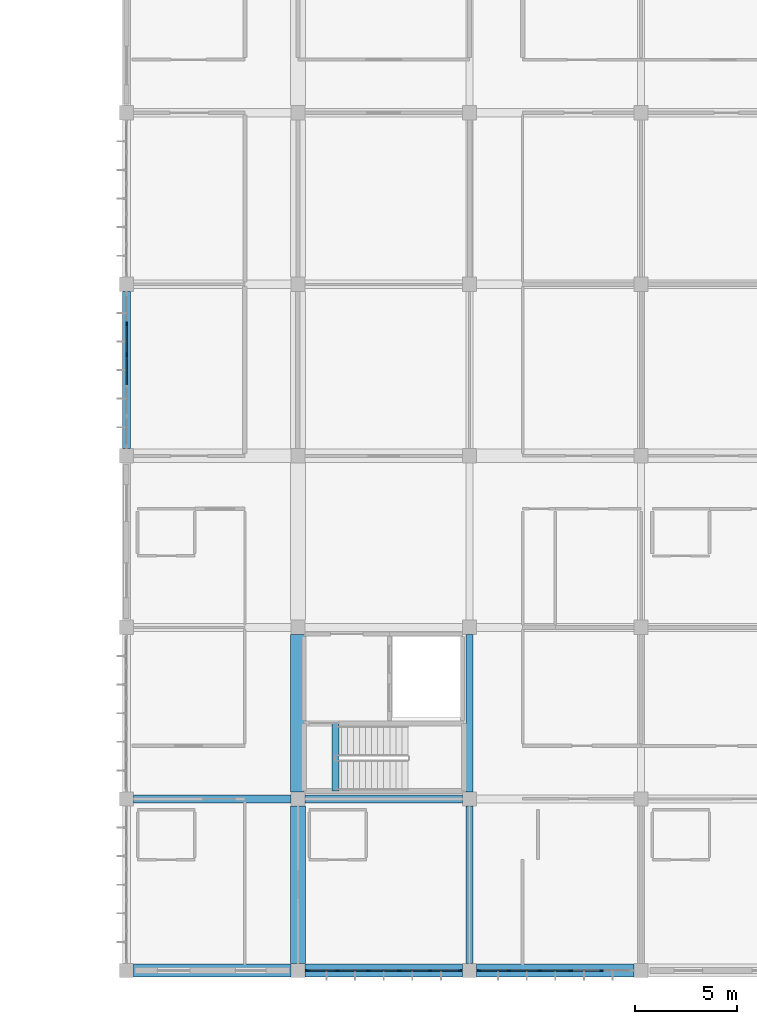
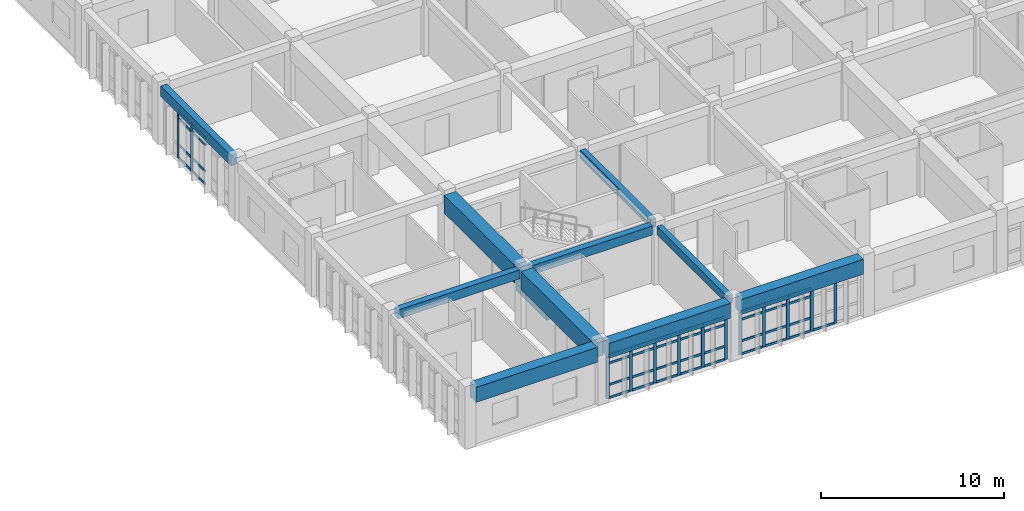
# One storey, part 8 of 119: 54 members, 11 beams, 3 elements without a shape of their own.
"""IFC4 building model written with IfcOpenShell, lengths in metres."""

from ifc_helpers import new_model, si_unit, direction, frame, origin, origin_2d, place, context, subcontext, project, spatial, rectangle, extrude, material, layer, layer_set, material_profile, profile_set, type_object, element, aggregate, save


model = new_model("IFC4")

# Units and contexts
model_context = context("Model", 3, precision=1e-05, world=origin(), true_north=direction((0.0, 1.0)))
body_context = subcontext(model_context, "Body", "Model", "MODEL_VIEW")
ifc_project = project(units=[si_unit("LENGTHUNIT", "METRE"), si_unit("AREAUNIT", "SQUARE_METRE"), si_unit("VOLUMEUNIT", "CUBIC_METRE"), si_unit("PLANEANGLEUNIT", "RADIAN"), si_unit("MASSUNIT", "GRAM", prefix="KILO")], contexts=[model_context])

# Site, building, storey
site_placement = place(None, origin())
site = spatial("IfcSite", under=ifc_project, at=site_placement, CompositionType="ELEMENT")
building_placement = place(site_placement, origin())
building = spatial("IfcBuilding", under=site, at=building_placement, Name="Bramfleet General Hospital", CompositionType="ELEMENT")
storey_placement = place(building_placement, frame((0.0, 0.0, 14.39990234375)))
storey = spatial("IfcBuildingStorey", under=building, at=storey_placement, Name="L03", CompositionType="ELEMENT", Elevation=14.39990234375)

# Beams
ifc_material_1 = material(Name="Concrete C35/45", Category="concrete")
ifc_material_profile_1 = material_profile(ifc_material_1, rectangle(XDim=0.35009765625, YDim=0.550048828125, at=origin_2d()), Name="RC BM 550x350")
ifc_profile_set_1 = profile_set([ifc_material_profile_1], Name="Concrete C35/45")
beam_type_1 = type_object("IfcBeamType", Name="BM-RC550", PredefinedType="BEAM", material=ifc_profile_set_1)
for number, where, z_axis, x_axis, name in (
    (1, (109.199951171875, 0.35009765625, 3.625), (0.0, 1.0, 0.0), (-1.0, 0.0, 0.0), "L03 Grid Beam Y 13-00"),
    (2, (109.199951171875, 8.75, 3.625), (0.0, 1.0, 0.0), (-1.0, 0.0, 0.0), "L03 Grid Beam Y 13-01"),
):
    element("IfcBeam", number, at=place(storey_placement, frame(where, z_axis=z_axis, x_axis=x_axis)), inside=storey, type_object=beam_type_1, Name=name, PredefinedType="BEAM", context=body_context, shape_type="SweptSolid", body=[
        extrude(rectangle(XDim=0.35009765625, YDim=0.550048828125, at=origin_2d()), origin(), (0.0, 0.0, 1.0), 7.699951171875),
    ])
beam_1_placement = place(storey_placement, frame((102.639892578125, 8.780029296875, -0.27490234375), z_axis=(0.0, 1.0, 0.0), x_axis=(-1.0, 0.0, 0.0)))
element("IfcBeam", 3, at=beam_1_placement, inside=storey, type_object=beam_type_1, Name="L03 C3 Stairwell Trimmer Beam", PredefinedType="BEAM", context=body_context, shape_type="SweptSolid", body=[
    extrude(rectangle(XDim=0.35009765625, YDim=0.550048828125, at=origin_2d()), origin(), (0.0, 0.0, 1.0), 3.320068359375),
])
ifc_material_profile_2 = material_profile(ifc_material_1, rectangle(XDim=0.39990234375, YDim=0.60009765625, at=origin_2d()), Name="RC BM 600x400")
ifc_profile_set_2 = profile_set([ifc_material_profile_2], Name="Concrete C35/45")
beam_type_2 = type_object("IfcBeamType", Name="BM-RC600", PredefinedType="BEAM", material=ifc_profile_set_2)
beam_2_placement = place(storey_placement, frame((92.75, 8.39990234375, 3.60009765625), z_axis=(1.0, 0.0, 0.0), x_axis=(0.0, 1.0, 0.0)))
element("IfcBeam", 4, at=beam_2_placement, inside=storey, type_object=beam_type_2, Name="L03 Grid Beam X 11-01", PredefinedType="BEAM", context=body_context, shape_type="SweptSolid", body=[
    extrude(rectangle(XDim=0.39990234375, YDim=0.60009765625, at=origin_2d()), origin(), (0.0, 0.0, 1.0), 7.699951171875),
])
beam_3_placement = place(storey_placement, frame((101.14990234375, 8.39990234375, 3.60009765625), z_axis=(1.0, 0.0, 0.0), x_axis=(0.0, 1.0, 0.0)))
element("IfcBeam", 5, at=beam_3_placement, inside=storey, type_object=beam_type_2, Name="L03 Grid Beam X 12-01", PredefinedType="BEAM", context=body_context, shape_type="SweptSolid", body=[
    extrude(rectangle(XDim=0.39990234375, YDim=0.60009765625, at=origin_2d()), origin(), (0.0, 0.0, 1.0), 7.7001953125),
])
ifc_material_profile_3 = material_profile(ifc_material_1, rectangle(XDim=0.39990234375, YDim=0.699951171875, at=origin_2d()), Name="RC SP 700x400")
ifc_profile_set_3 = profile_set([ifc_material_profile_3], Name="Concrete C35/45")
beam_type_3 = type_object("IfcBeamType", Name="BM-SP700", PredefinedType="SPANDREL", material=ifc_profile_set_3)
beam_4_placement = place(storey_placement, frame((92.39990234375, 25.550048828125, 3.550048828125), z_axis=(0.0, 1.0, 0.0), x_axis=(-1.0, 0.0, 0.0)))
element("IfcBeam", 6, at=beam_4_placement, inside=storey, type_object=beam_type_3, Name="L03 Grid Beam Y 11-03", PredefinedType="SPANDREL", context=body_context, shape_type="SweptSolid", body=[
    extrude(rectangle(XDim=0.39990234375, YDim=0.699951171875, at=origin_2d()), origin(), (0.0, 0.0, 1.0), 7.699951171875),
])
ifc_material_2 = material(Name="Concrete C40/50", Category="concrete")
ifc_material_profile_4 = material_profile(ifc_material_2, rectangle(XDim=0.64990234375, YDim=1.0, at=origin_2d()), Name="RC TG 1000x650")
ifc_profile_set_4 = profile_set([ifc_material_profile_4], Name="Concrete C40/50")
beam_type_4 = type_object("IfcBeamType", Name="BM-TG1000", PredefinedType="BEAM", material=ifc_profile_set_4)
beam_5_placement = place(storey_placement, frame((92.75, 0.0, 3.400146484375), z_axis=(1.0, 0.0, 0.0), x_axis=(0.0, 1.0, 0.0)))
element("IfcBeam", 7, at=beam_5_placement, inside=storey, type_object=beam_type_4, Name="L03 Transfer Girder X 11-00", PredefinedType="BEAM", context=body_context, shape_type="SweptSolid", body=[
    extrude(rectangle(XDim=0.64990234375, YDim=1.0, at=origin_2d()), origin(), (0.0, 0.0, 1.0), 7.699951171875),
])
beam_6_placement = place(storey_placement, frame((101.14990234375, 0.0, 3.400146484375), z_axis=(1.0, 0.0, 0.0), x_axis=(0.0, 1.0, 0.0)))
element("IfcBeam", 8, at=beam_6_placement, inside=storey, type_object=beam_type_4, Name="L03 Transfer Girder X 12-00", PredefinedType="BEAM", context=body_context, shape_type="SweptSolid", body=[
    extrude(rectangle(XDim=0.64990234375, YDim=1.0, at=origin_2d()), origin(), (0.0, 0.0, 1.0), 7.7001953125),
])
beam_7_placement = place(storey_placement, frame((109.550048828125, 0.0, 3.400146484375), z_axis=(1.0, 0.0, 0.0), x_axis=(0.0, 1.0, 0.0)))
element("IfcBeam", 9, at=beam_7_placement, inside=storey, type_object=beam_type_4, Name="L03 Transfer Girder X 13-00", PredefinedType="BEAM", context=body_context, shape_type="SweptSolid", body=[
    extrude(rectangle(XDim=0.64990234375, YDim=1.0, at=origin_2d()), origin(), (0.0, 0.0, 1.0), 7.699951171875),
])
ifc_material_profile_5 = material_profile(ifc_material_2, rectangle(XDim=0.75, YDim=1.199951171875, at=origin_2d()), Name="RC TG 1200x750")
ifc_profile_set_5 = profile_set([ifc_material_profile_5], Name="Concrete C40/50")
beam_type_5 = type_object("IfcBeamType", Name="BM-TG1200", PredefinedType="BEAM", material=ifc_profile_set_5)
for number, where, z_axis, x_axis, name in (
    (10, (100.800048828125, 0.35009765625, 3.300048828125), (0.0, 1.0, 0.0), (-1.0, 0.0, 0.0), "L03 Transfer Girder Y 12-00"),
    (11, (100.800048828125, 8.75, 3.300048828125), (0.0, 1.0, 0.0), (-1.0, 0.0, 0.0), "L03 Transfer Girder Y 12-01"),
):
    element("IfcBeam", number, at=place(storey_placement, frame(where, z_axis=z_axis, x_axis=x_axis)), inside=storey, type_object=beam_type_5, Name=name, PredefinedType="BEAM", context=body_context, shape_type="SweptSolid", body=[
        extrude(rectangle(XDim=0.75, YDim=1.199951171875, at=origin_2d()), origin(), (0.0, 0.0, 1.0), 7.699951171875),
    ])

# Curtain wall, members
ifc_material_3 = material(Name="Anodised aluminium and low-E triple glazing", Category="aluminium")
ifc_layer_1 = layer(ifc_material_3, 0.179931640625, Name="CWT-CW-11")
ifc_layer_set_1 = layer_set([ifc_layer_1], Name="Anodised aluminium and low-E triple glazing")
curtain_wall_type_1 = type_object("IfcCurtainWallType", Name="CWT-CW-11", PredefinedType="USERDEFINED", material=ifc_layer_set_1)
curtain_wall_1_placement = place(storey_placement, origin())
curtain_wall_1 = element("IfcCurtainWall", 12, at=curtain_wall_1_placement, inside=storey, type_object=curtain_wall_type_1, Name="L03 Curtain Wall 173", ObjectType="Stick curtain wall", PredefinedType="USERDEFINED")
ifc_material_4 = material(Name="Structural timber GL28h", Category="wood")
ifc_material_profile_6 = material_profile(ifc_material_4, rectangle(XDim=0.070068359375, YDim=0.18994140625, at=origin_2d()), Name="LARCH 190x70")
ifc_profile_set_6 = profile_set([ifc_material_profile_6], Name="Structural timber GL28h")
member_type_1 = type_object("IfcMemberType", Name="CWM-LARCH450", PredefinedType="MULLION", material=ifc_profile_set_6)
member_1_placement = place(storey_placement, frame((115.6650390625, 0.0, 0.0), z_axis=(0.0, 0.0, 1.0), x_axis=(0.0, -1.0, 0.0)))
member_1 = element("IfcMember", 13, at=member_1_placement, type_object=member_type_1, Name="CW-11 mullion 2", PredefinedType="MULLION", context=body_context, shape_type="SweptSolid", body=[
    extrude(rectangle(XDim=0.070068359375, YDim=0.18994140625, at=origin_2d()), origin(), (0.0, 0.0, 1.0), 2.89013671875),
])
member_2_placement = place(storey_placement, frame((114.155029296875, 0.0, 0.0), z_axis=(0.0, 0.0, 1.0), x_axis=(0.0, -1.0, 0.0)))
member_2 = element("IfcMember", 14, at=member_2_placement, type_object=member_type_1, Name="CW-11 mullion 3", PredefinedType="MULLION", context=body_context, shape_type="SweptSolid", body=[
    extrude(rectangle(XDim=0.070068359375, YDim=0.18994140625, at=origin_2d()), origin(), (0.0, 0.0, 1.0), 2.89013671875),
])
member_3_placement = place(storey_placement, frame((112.64501953125, 0.0, 0.0), z_axis=(0.0, 0.0, 1.0), x_axis=(0.0, -1.0, 0.0)))
member_3 = element("IfcMember", 15, at=member_3_placement, type_object=member_type_1, Name="CW-11 mullion 4", PredefinedType="MULLION", context=body_context, shape_type="SweptSolid", body=[
    extrude(rectangle(XDim=0.070068359375, YDim=0.18994140625, at=origin_2d()), origin(), (0.0, 0.0, 1.0), 2.89013671875),
])
member_4_placement = place(storey_placement, frame((111.135009765625, 0.0, 0.0), z_axis=(0.0, 0.0, 1.0), x_axis=(0.0, -1.0, 0.0)))
member_4 = element("IfcMember", 16, at=member_4_placement, type_object=member_type_1, Name="CW-11 mullion 5", PredefinedType="MULLION", context=body_context, shape_type="SweptSolid", body=[
    extrude(rectangle(XDim=0.070068359375, YDim=0.18994140625, at=origin_2d()), origin(), (0.0, 0.0, 1.0), 2.89013671875),
])
member_5_placement = place(storey_placement, frame((109.659912109375, 0.0, 0.0), z_axis=(0.0, 0.0, 1.0), x_axis=(0.0, -1.0, 0.0)))
member_5 = element("IfcMember", 17, at=member_5_placement, type_object=member_type_1, Name="CW-11 mullion 6", PredefinedType="MULLION", context=body_context, shape_type="SweptSolid", body=[
    extrude(rectangle(XDim=0.070068359375, YDim=0.18994140625, at=origin_2d()), origin(), (0.0, 0.0, 1.0), 2.89013671875),
])

ifc_layer_2 = layer(ifc_material_3, 0.179931640625, Name="CWT-CW-12")
ifc_layer_set_2 = layer_set([ifc_layer_2], Name="Anodised aluminium and low-E triple glazing")
curtain_wall_type_2 = type_object("IfcCurtainWallType", Name="CWT-CW-12", PredefinedType="USERDEFINED", material=ifc_layer_set_2)
curtain_wall_2_placement = place(storey_placement, origin())
curtain_wall_2 = element("IfcCurtainWall", 18, at=curtain_wall_2_placement, inside=storey, type_object=curtain_wall_type_2, Name="L03 Curtain Wall 174", ObjectType="Stick curtain wall", PredefinedType="USERDEFINED")
member_6_placement = place(storey_placement, frame((108.739990234375, 0.0, 0.0), z_axis=(0.0, 0.0, 1.0), x_axis=(0.0, -1.0, 0.0)))
member_6 = element("IfcMember", 19, at=member_6_placement, type_object=member_type_1, Name="CW-12 mullion 1", PredefinedType="MULLION", context=body_context, shape_type="SweptSolid", body=[
    extrude(rectangle(XDim=0.070068359375, YDim=0.18994140625, at=origin_2d()), origin(), (0.0, 0.0, 1.0), 2.89013671875),
])
member_7_placement = place(storey_placement, frame((107.264892578125, 0.0, 0.0), z_axis=(0.0, 0.0, 1.0), x_axis=(0.0, -1.0, 0.0)))
member_7 = element("IfcMember", 20, at=member_7_placement, type_object=member_type_1, Name="CW-12 mullion 2", PredefinedType="MULLION", context=body_context, shape_type="SweptSolid", body=[
    extrude(rectangle(XDim=0.070068359375, YDim=0.18994140625, at=origin_2d()), origin(), (0.0, 0.0, 1.0), 2.89013671875),
])
member_8_placement = place(storey_placement, frame((105.7548828125, 0.0, 0.0), z_axis=(0.0, 0.0, 1.0), x_axis=(0.0, -1.0, 0.0)))
member_8 = element("IfcMember", 21, at=member_8_placement, type_object=member_type_1, Name="CW-12 mullion 3", PredefinedType="MULLION", context=body_context, shape_type="SweptSolid", body=[
    extrude(rectangle(XDim=0.070068359375, YDim=0.18994140625, at=origin_2d()), origin(), (0.0, 0.0, 1.0), 2.89013671875),
])
member_9_placement = place(storey_placement, frame((104.2451171875, 0.0, 0.0), z_axis=(0.0, 0.0, 1.0), x_axis=(0.0, -1.0, 0.0)))
member_9 = element("IfcMember", 22, at=member_9_placement, type_object=member_type_1, Name="CW-12 mullion 4", PredefinedType="MULLION", context=body_context, shape_type="SweptSolid", body=[
    extrude(rectangle(XDim=0.070068359375, YDim=0.18994140625, at=origin_2d()), origin(), (0.0, 0.0, 1.0), 2.89013671875),
])
member_10_placement = place(storey_placement, frame((102.735107421875, 0.0, 0.0), z_axis=(0.0, 0.0, 1.0), x_axis=(0.0, -1.0, 0.0)))
member_10 = element("IfcMember", 23, at=member_10_placement, type_object=member_type_1, Name="CW-12 mullion 5", PredefinedType="MULLION", context=body_context, shape_type="SweptSolid", body=[
    extrude(rectangle(XDim=0.070068359375, YDim=0.18994140625, at=origin_2d()), origin(), (0.0, 0.0, 1.0), 2.89013671875),
])
member_11_placement = place(storey_placement, frame((101.260009765625, 0.0, 0.0), z_axis=(0.0, 0.0, 1.0), x_axis=(0.0, -1.0, 0.0)))
member_11 = element("IfcMember", 24, at=member_11_placement, type_object=member_type_1, Name="CW-12 mullion 6", PredefinedType="MULLION", context=body_context, shape_type="SweptSolid", body=[
    extrude(rectangle(XDim=0.070068359375, YDim=0.18994140625, at=origin_2d()), origin(), (0.0, 0.0, 1.0), 2.89013671875),
])

ifc_layer_3 = layer(ifc_material_3, 0.179931640625, Name="CWT-CW-15")
ifc_layer_set_3 = layer_set([ifc_layer_3], Name="Anodised aluminium and low-E triple glazing")
curtain_wall_type_3 = type_object("IfcCurtainWallType", Name="CWT-CW-15", PredefinedType="USERDEFINED", material=ifc_layer_set_3)
curtain_wall_3_placement = place(storey_placement, origin())
curtain_wall_3 = element("IfcCurtainWall", 25, at=curtain_wall_3_placement, inside=storey, type_object=curtain_wall_type_3, Name="L03 Curtain Wall 177", ObjectType="Stick curtain wall", PredefinedType="USERDEFINED")
member_12_placement = place(storey_placement, frame((92.39990234375, 30.155029296875, 0.0), z_axis=(0.0, 0.0, 1.0), x_axis=(-1.0, 0.0, 0.0)))
member_12 = element("IfcMember", 26, at=member_12_placement, type_object=member_type_1, Name="CW-15 mullion 4", PredefinedType="MULLION", context=body_context, shape_type="SweptSolid", body=[
    extrude(rectangle(XDim=0.070068359375, YDim=0.18994140625, at=origin_2d()), origin(), (0.0, 0.0, 1.0), 3.190185546875),
])
member_13_placement = place(storey_placement, frame((92.39990234375, 31.6650390625, 0.0), z_axis=(0.0, 0.0, 1.0), x_axis=(-1.0, 0.0, 0.0)))
member_13 = element("IfcMember", 27, at=member_13_placement, type_object=member_type_1, Name="CW-15 mullion 5", PredefinedType="MULLION", context=body_context, shape_type="SweptSolid", body=[
    extrude(rectangle(XDim=0.070068359375, YDim=0.18994140625, at=origin_2d()), origin(), (0.0, 0.0, 1.0), 3.190185546875),
])

# Member
ifc_material_profile_7 = material_profile(ifc_material_4, rectangle(XDim=0.06494140625, YDim=0.14990234375, at=origin_2d()), Name="LARCH 150x65")
ifc_profile_set_7 = profile_set([ifc_material_profile_7], Name="Structural timber GL28h")
member_type_2 = type_object("IfcMemberType", Name="CWT-LARCH220", PredefinedType="USERDEFINED", material=ifc_profile_set_7)
member_14_placement = place(storey_placement, frame((115.6298828125, 0.0, 0.03271484375), z_axis=(-1.0, 0.0, 0.0), x_axis=(0.0, -1.0, 0.0)))
member_14 = element("IfcMember", 28, at=member_14_placement, type_object=member_type_2, Name="CW-11 transom 2.1", ObjectType="TRANSOM", PredefinedType="USERDEFINED", context=body_context, shape_type="SweptSolid", body=[
    extrude(rectangle(XDim=0.06494140625, YDim=0.14990234375, at=origin_2d()), origin(), (0.0, 0.0, 1.0), 1.43994140625),
])

member_15_placement = place(storey_placement, frame((114.1201171875, 0.0, 0.03271484375), z_axis=(-1.0, 0.0, 0.0), x_axis=(0.0, -1.0, 0.0)))
member_15 = element("IfcMember", 29, at=member_15_placement, type_object=member_type_2, Name="CW-11 transom 3.1", ObjectType="TRANSOM", PredefinedType="USERDEFINED", context=body_context, shape_type="SweptSolid", body=[
    extrude(rectangle(XDim=0.06494140625, YDim=0.14990234375, at=origin_2d()), origin(), (0.0, 0.0, 1.0), 1.440185546875),
])

member_16_placement = place(storey_placement, frame((114.1201171875, 0.0, 0.900146484375), z_axis=(-1.0, 0.0, 0.0), x_axis=(0.0, -1.0, 0.0)))
member_16 = element("IfcMember", 30, at=member_16_placement, type_object=member_type_2, Name="CW-11 transom 3.2", ObjectType="TRANSOM", PredefinedType="USERDEFINED", context=body_context, shape_type="SweptSolid", body=[
    extrude(rectangle(XDim=0.06494140625, YDim=0.14990234375, at=origin_2d()), origin(), (0.0, 0.0, 1.0), 1.440185546875),
])

member_17_placement = place(storey_placement, frame((114.1201171875, 0.0, 2.340087890625), z_axis=(-1.0, 0.0, 0.0), x_axis=(0.0, -1.0, 0.0)))
member_17 = element("IfcMember", 31, at=member_17_placement, type_object=member_type_2, Name="CW-11 transom 3.3", ObjectType="TRANSOM", PredefinedType="USERDEFINED", context=body_context, shape_type="SweptSolid", body=[
    extrude(rectangle(XDim=0.06494140625, YDim=0.14990234375, at=origin_2d()), origin(), (0.0, 0.0, 1.0), 1.440185546875),
])

member_18_placement = place(storey_placement, frame((114.1201171875, 0.0, 2.857666015625), z_axis=(-1.0, 0.0, 0.0), x_axis=(0.0, -1.0, 0.0)))
member_18 = element("IfcMember", 32, at=member_18_placement, type_object=member_type_2, Name="CW-11 transom 3.4", ObjectType="TRANSOM", PredefinedType="USERDEFINED", context=body_context, shape_type="SweptSolid", body=[
    extrude(rectangle(XDim=0.06494140625, YDim=0.14990234375, at=origin_2d()), origin(), (0.0, 0.0, 1.0), 1.440185546875),
])

member_19_placement = place(storey_placement, frame((112.610107421875, 0.0, 0.03271484375), z_axis=(-1.0, 0.0, 0.0), x_axis=(0.0, -1.0, 0.0)))
member_19 = element("IfcMember", 33, at=member_19_placement, type_object=member_type_2, Name="CW-11 transom 4.1", ObjectType="TRANSOM", PredefinedType="USERDEFINED", context=body_context, shape_type="SweptSolid", body=[
    extrude(rectangle(XDim=0.06494140625, YDim=0.14990234375, at=origin_2d()), origin(), (0.0, 0.0, 1.0), 1.440185546875),
])

member_20_placement = place(storey_placement, frame((112.610107421875, 0.0, 0.900146484375), z_axis=(-1.0, 0.0, 0.0), x_axis=(0.0, -1.0, 0.0)))
member_20 = element("IfcMember", 34, at=member_20_placement, type_object=member_type_2, Name="CW-11 transom 4.2", ObjectType="TRANSOM", PredefinedType="USERDEFINED", context=body_context, shape_type="SweptSolid", body=[
    extrude(rectangle(XDim=0.06494140625, YDim=0.14990234375, at=origin_2d()), origin(), (0.0, 0.0, 1.0), 1.440185546875),
])

member_21_placement = place(storey_placement, frame((112.610107421875, 0.0, 2.340087890625), z_axis=(-1.0, 0.0, 0.0), x_axis=(0.0, -1.0, 0.0)))
member_21 = element("IfcMember", 35, at=member_21_placement, type_object=member_type_2, Name="CW-11 transom 4.3", ObjectType="TRANSOM", PredefinedType="USERDEFINED", context=body_context, shape_type="SweptSolid", body=[
    extrude(rectangle(XDim=0.06494140625, YDim=0.14990234375, at=origin_2d()), origin(), (0.0, 0.0, 1.0), 1.440185546875),
])

member_22_placement = place(storey_placement, frame((112.610107421875, 0.0, 2.857666015625), z_axis=(-1.0, 0.0, 0.0), x_axis=(0.0, -1.0, 0.0)))
member_22 = element("IfcMember", 36, at=member_22_placement, type_object=member_type_2, Name="CW-11 transom 4.4", ObjectType="TRANSOM", PredefinedType="USERDEFINED", context=body_context, shape_type="SweptSolid", body=[
    extrude(rectangle(XDim=0.06494140625, YDim=0.14990234375, at=origin_2d()), origin(), (0.0, 0.0, 1.0), 1.440185546875),
])

member_23_placement = place(storey_placement, frame((111.10009765625, 0.0, 0.03271484375), z_axis=(-1.0, 0.0, 0.0), x_axis=(0.0, -1.0, 0.0)))
member_23 = element("IfcMember", 37, at=member_23_placement, type_object=member_type_2, Name="CW-11 transom 5.1", ObjectType="TRANSOM", PredefinedType="USERDEFINED", context=body_context, shape_type="SweptSolid", body=[
    extrude(rectangle(XDim=0.06494140625, YDim=0.14990234375, at=origin_2d()), origin(), (0.0, 0.0, 1.0), 1.405029296875),
])

member_24_placement = place(storey_placement, frame((111.10009765625, 0.0, 0.900146484375), z_axis=(-1.0, 0.0, 0.0), x_axis=(0.0, -1.0, 0.0)))
member_24 = element("IfcMember", 38, at=member_24_placement, type_object=member_type_2, Name="CW-11 transom 5.2", ObjectType="TRANSOM", PredefinedType="USERDEFINED", context=body_context, shape_type="SweptSolid", body=[
    extrude(rectangle(XDim=0.06494140625, YDim=0.14990234375, at=origin_2d()), origin(), (0.0, 0.0, 1.0), 1.405029296875),
])

member_25_placement = place(storey_placement, frame((111.10009765625, 0.0, 2.340087890625), z_axis=(-1.0, 0.0, 0.0), x_axis=(0.0, -1.0, 0.0)))
member_25 = element("IfcMember", 39, at=member_25_placement, type_object=member_type_2, Name="CW-11 transom 5.3", ObjectType="TRANSOM", PredefinedType="USERDEFINED", context=body_context, shape_type="SweptSolid", body=[
    extrude(rectangle(XDim=0.06494140625, YDim=0.14990234375, at=origin_2d()), origin(), (0.0, 0.0, 1.0), 1.405029296875),
])

member_26_placement = place(storey_placement, frame((111.10009765625, 0.0, 2.857666015625), z_axis=(-1.0, 0.0, 0.0), x_axis=(0.0, -1.0, 0.0)))
member_26 = element("IfcMember", 40, at=member_26_placement, type_object=member_type_2, Name="CW-11 transom 5.4", ObjectType="TRANSOM", PredefinedType="USERDEFINED", context=body_context, shape_type="SweptSolid", body=[
    extrude(rectangle(XDim=0.06494140625, YDim=0.14990234375, at=origin_2d()), origin(), (0.0, 0.0, 1.0), 1.405029296875),
])

aggregate(curtain_wall_1, [member_1, member_2, member_3, member_4, member_5, member_14, member_15, member_16, member_17, member_18, member_19, member_20, member_21, member_22, member_23, member_24, member_25, member_26])

member_27_placement = place(storey_placement, frame((108.705078125, 0.0, 0.03271484375), z_axis=(-1.0, 0.0, 0.0), x_axis=(0.0, -1.0, 0.0)))
member_27 = element("IfcMember", 41, at=member_27_placement, type_object=member_type_2, Name="CW-12 transom 1.1", ObjectType="TRANSOM", PredefinedType="USERDEFINED", context=body_context, shape_type="SweptSolid", body=[
    extrude(rectangle(XDim=0.06494140625, YDim=0.14990234375, at=origin_2d()), origin(), (0.0, 0.0, 1.0), 1.405029296875),
])

member_28_placement = place(storey_placement, frame((108.705078125, 0.0, 0.900146484375), z_axis=(-1.0, 0.0, 0.0), x_axis=(0.0, -1.0, 0.0)))
member_28 = element("IfcMember", 42, at=member_28_placement, type_object=member_type_2, Name="CW-12 transom 1.2", ObjectType="TRANSOM", PredefinedType="USERDEFINED", context=body_context, shape_type="SweptSolid", body=[
    extrude(rectangle(XDim=0.06494140625, YDim=0.14990234375, at=origin_2d()), origin(), (0.0, 0.0, 1.0), 1.405029296875),
])

member_29_placement = place(storey_placement, frame((108.705078125, 0.0, 2.340087890625), z_axis=(-1.0, 0.0, 0.0), x_axis=(0.0, -1.0, 0.0)))
member_29 = element("IfcMember", 43, at=member_29_placement, type_object=member_type_2, Name="CW-12 transom 1.3", ObjectType="TRANSOM", PredefinedType="USERDEFINED", context=body_context, shape_type="SweptSolid", body=[
    extrude(rectangle(XDim=0.06494140625, YDim=0.14990234375, at=origin_2d()), origin(), (0.0, 0.0, 1.0), 1.405029296875),
])

member_30_placement = place(storey_placement, frame((108.705078125, 0.0, 2.857666015625), z_axis=(-1.0, 0.0, 0.0), x_axis=(0.0, -1.0, 0.0)))
member_30 = element("IfcMember", 44, at=member_30_placement, type_object=member_type_2, Name="CW-12 transom 1.4", ObjectType="TRANSOM", PredefinedType="USERDEFINED", context=body_context, shape_type="SweptSolid", body=[
    extrude(rectangle(XDim=0.06494140625, YDim=0.14990234375, at=origin_2d()), origin(), (0.0, 0.0, 1.0), 1.405029296875),
])

member_31_placement = place(storey_placement, frame((107.22998046875, 0.0, 0.03271484375), z_axis=(-1.0, 0.0, 0.0), x_axis=(0.0, -1.0, 0.0)))
member_31 = element("IfcMember", 45, at=member_31_placement, type_object=member_type_2, Name="CW-12 transom 2.1", ObjectType="TRANSOM", PredefinedType="USERDEFINED", context=body_context, shape_type="SweptSolid", body=[
    extrude(rectangle(XDim=0.06494140625, YDim=0.14990234375, at=origin_2d()), origin(), (0.0, 0.0, 1.0), 1.43994140625),
])

member_32_placement = place(storey_placement, frame((107.22998046875, 0.0, 0.900146484375), z_axis=(-1.0, 0.0, 0.0), x_axis=(0.0, -1.0, 0.0)))
member_32 = element("IfcMember", 46, at=member_32_placement, type_object=member_type_2, Name="CW-12 transom 2.2", ObjectType="TRANSOM", PredefinedType="USERDEFINED", context=body_context, shape_type="SweptSolid", body=[
    extrude(rectangle(XDim=0.06494140625, YDim=0.14990234375, at=origin_2d()), origin(), (0.0, 0.0, 1.0), 1.43994140625),
])

member_33_placement = place(storey_placement, frame((107.22998046875, 0.0, 2.340087890625), z_axis=(-1.0, 0.0, 0.0), x_axis=(0.0, -1.0, 0.0)))
member_33 = element("IfcMember", 47, at=member_33_placement, type_object=member_type_2, Name="CW-12 transom 2.3", ObjectType="TRANSOM", PredefinedType="USERDEFINED", context=body_context, shape_type="SweptSolid", body=[
    extrude(rectangle(XDim=0.06494140625, YDim=0.14990234375, at=origin_2d()), origin(), (0.0, 0.0, 1.0), 1.43994140625),
])

member_34_placement = place(storey_placement, frame((107.22998046875, 0.0, 2.857666015625), z_axis=(-1.0, 0.0, 0.0), x_axis=(0.0, -1.0, 0.0)))
member_34 = element("IfcMember", 48, at=member_34_placement, type_object=member_type_2, Name="CW-12 transom 2.4", ObjectType="TRANSOM", PredefinedType="USERDEFINED", context=body_context, shape_type="SweptSolid", body=[
    extrude(rectangle(XDim=0.06494140625, YDim=0.14990234375, at=origin_2d()), origin(), (0.0, 0.0, 1.0), 1.43994140625),
])

member_35_placement = place(storey_placement, frame((105.719970703125, 0.0, 0.03271484375), z_axis=(-1.0, 0.0, 0.0), x_axis=(0.0, -1.0, 0.0)))
member_35 = element("IfcMember", 49, at=member_35_placement, type_object=member_type_2, Name="CW-12 transom 3.1", ObjectType="TRANSOM", PredefinedType="USERDEFINED", context=body_context, shape_type="SweptSolid", body=[
    extrude(rectangle(XDim=0.06494140625, YDim=0.14990234375, at=origin_2d()), origin(), (0.0, 0.0, 1.0), 1.43994140625),
])

member_36_placement = place(storey_placement, frame((105.719970703125, 0.0, 0.900146484375), z_axis=(-1.0, 0.0, 0.0), x_axis=(0.0, -1.0, 0.0)))
member_36 = element("IfcMember", 50, at=member_36_placement, type_object=member_type_2, Name="CW-12 transom 3.2", ObjectType="TRANSOM", PredefinedType="USERDEFINED", context=body_context, shape_type="SweptSolid", body=[
    extrude(rectangle(XDim=0.06494140625, YDim=0.14990234375, at=origin_2d()), origin(), (0.0, 0.0, 1.0), 1.43994140625),
])

member_37_placement = place(storey_placement, frame((105.719970703125, 0.0, 2.340087890625), z_axis=(-1.0, 0.0, 0.0), x_axis=(0.0, -1.0, 0.0)))
member_37 = element("IfcMember", 51, at=member_37_placement, type_object=member_type_2, Name="CW-12 transom 3.3", ObjectType="TRANSOM", PredefinedType="USERDEFINED", context=body_context, shape_type="SweptSolid", body=[
    extrude(rectangle(XDim=0.06494140625, YDim=0.14990234375, at=origin_2d()), origin(), (0.0, 0.0, 1.0), 1.43994140625),
])

member_38_placement = place(storey_placement, frame((105.719970703125, 0.0, 2.857666015625), z_axis=(-1.0, 0.0, 0.0), x_axis=(0.0, -1.0, 0.0)))
member_38 = element("IfcMember", 52, at=member_38_placement, type_object=member_type_2, Name="CW-12 transom 3.4", ObjectType="TRANSOM", PredefinedType="USERDEFINED", context=body_context, shape_type="SweptSolid", body=[
    extrude(rectangle(XDim=0.06494140625, YDim=0.14990234375, at=origin_2d()), origin(), (0.0, 0.0, 1.0), 1.43994140625),
])

member_39_placement = place(storey_placement, frame((104.2099609375, 0.0, 0.03271484375), z_axis=(-1.0, 0.0, 0.0), x_axis=(0.0, -1.0, 0.0)))
member_39 = element("IfcMember", 53, at=member_39_placement, type_object=member_type_2, Name="CW-12 transom 4.1", ObjectType="TRANSOM", PredefinedType="USERDEFINED", context=body_context, shape_type="SweptSolid", body=[
    extrude(rectangle(XDim=0.06494140625, YDim=0.14990234375, at=origin_2d()), origin(), (0.0, 0.0, 1.0), 1.43994140625),
])

member_40_placement = place(storey_placement, frame((104.2099609375, 0.0, 0.900146484375), z_axis=(-1.0, 0.0, 0.0), x_axis=(0.0, -1.0, 0.0)))
member_40 = element("IfcMember", 54, at=member_40_placement, type_object=member_type_2, Name="CW-12 transom 4.2", ObjectType="TRANSOM", PredefinedType="USERDEFINED", context=body_context, shape_type="SweptSolid", body=[
    extrude(rectangle(XDim=0.06494140625, YDim=0.14990234375, at=origin_2d()), origin(), (0.0, 0.0, 1.0), 1.43994140625),
])

member_41_placement = place(storey_placement, frame((104.2099609375, 0.0, 2.340087890625), z_axis=(-1.0, 0.0, 0.0), x_axis=(0.0, -1.0, 0.0)))
member_41 = element("IfcMember", 55, at=member_41_placement, type_object=member_type_2, Name="CW-12 transom 4.3", ObjectType="TRANSOM", PredefinedType="USERDEFINED", context=body_context, shape_type="SweptSolid", body=[
    extrude(rectangle(XDim=0.06494140625, YDim=0.14990234375, at=origin_2d()), origin(), (0.0, 0.0, 1.0), 1.43994140625),
])

member_42_placement = place(storey_placement, frame((104.2099609375, 0.0, 2.857666015625), z_axis=(-1.0, 0.0, 0.0), x_axis=(0.0, -1.0, 0.0)))
member_42 = element("IfcMember", 56, at=member_42_placement, type_object=member_type_2, Name="CW-12 transom 4.4", ObjectType="TRANSOM", PredefinedType="USERDEFINED", context=body_context, shape_type="SweptSolid", body=[
    extrude(rectangle(XDim=0.06494140625, YDim=0.14990234375, at=origin_2d()), origin(), (0.0, 0.0, 1.0), 1.43994140625),
])

member_43_placement = place(storey_placement, frame((102.699951171875, 0.0, 0.03271484375), z_axis=(-1.0, 0.0, 0.0), x_axis=(0.0, -1.0, 0.0)))
member_43 = element("IfcMember", 57, at=member_43_placement, type_object=member_type_2, Name="CW-12 transom 5.1", ObjectType="TRANSOM", PredefinedType="USERDEFINED", context=body_context, shape_type="SweptSolid", body=[
    extrude(rectangle(XDim=0.06494140625, YDim=0.14990234375, at=origin_2d()), origin(), (0.0, 0.0, 1.0), 1.405029296875),
])

member_44_placement = place(storey_placement, frame((102.699951171875, 0.0, 0.900146484375), z_axis=(-1.0, 0.0, 0.0), x_axis=(0.0, -1.0, 0.0)))
member_44 = element("IfcMember", 58, at=member_44_placement, type_object=member_type_2, Name="CW-12 transom 5.2", ObjectType="TRANSOM", PredefinedType="USERDEFINED", context=body_context, shape_type="SweptSolid", body=[
    extrude(rectangle(XDim=0.06494140625, YDim=0.14990234375, at=origin_2d()), origin(), (0.0, 0.0, 1.0), 1.405029296875),
])

member_45_placement = place(storey_placement, frame((102.699951171875, 0.0, 2.340087890625), z_axis=(-1.0, 0.0, 0.0), x_axis=(0.0, -1.0, 0.0)))
member_45 = element("IfcMember", 59, at=member_45_placement, type_object=member_type_2, Name="CW-12 transom 5.3", ObjectType="TRANSOM", PredefinedType="USERDEFINED", context=body_context, shape_type="SweptSolid", body=[
    extrude(rectangle(XDim=0.06494140625, YDim=0.14990234375, at=origin_2d()), origin(), (0.0, 0.0, 1.0), 1.405029296875),
])

member_46_placement = place(storey_placement, frame((102.699951171875, 0.0, 2.857666015625), z_axis=(-1.0, 0.0, 0.0), x_axis=(0.0, -1.0, 0.0)))
member_46 = element("IfcMember", 60, at=member_46_placement, type_object=member_type_2, Name="CW-12 transom 5.4", ObjectType="TRANSOM", PredefinedType="USERDEFINED", context=body_context, shape_type="SweptSolid", body=[
    extrude(rectangle(XDim=0.06494140625, YDim=0.14990234375, at=origin_2d()), origin(), (0.0, 0.0, 1.0), 1.405029296875),
])

aggregate(curtain_wall_2, [member_6, member_7, member_8, member_9, member_10, member_11, member_27, member_28, member_29, member_30, member_31, member_32, member_33, member_34, member_35, member_36, member_37, member_38, member_39, member_40, member_41, member_42, member_43, member_44, member_45, member_46])

member_47_placement = place(storey_placement, frame((92.39990234375, 28.679931640625, 0.03271484375), z_axis=(0.0, 1.0, 0.0), x_axis=(-1.0, 0.0, 0.0)))
member_47 = element("IfcMember", 61, at=member_47_placement, type_object=member_type_2, Name="CW-15 transom 3.1", ObjectType="TRANSOM", PredefinedType="USERDEFINED", context=body_context, shape_type="SweptSolid", body=[
    extrude(rectangle(XDim=0.06494140625, YDim=0.14990234375, at=origin_2d()), origin(), (0.0, 0.0, 1.0), 1.440185546875),
])

member_48_placement = place(storey_placement, frame((92.39990234375, 28.679931640625, 0.900146484375), z_axis=(0.0, 1.0, 0.0), x_axis=(-1.0, 0.0, 0.0)))
member_48 = element("IfcMember", 62, at=member_48_placement, type_object=member_type_2, Name="CW-15 transom 3.2", ObjectType="TRANSOM", PredefinedType="USERDEFINED", context=body_context, shape_type="SweptSolid", body=[
    extrude(rectangle(XDim=0.06494140625, YDim=0.14990234375, at=origin_2d()), origin(), (0.0, 0.0, 1.0), 1.440185546875),
])

member_49_placement = place(storey_placement, frame((92.39990234375, 28.679931640625, 2.64013671875), z_axis=(0.0, 1.0, 0.0), x_axis=(-1.0, 0.0, 0.0)))
member_49 = element("IfcMember", 63, at=member_49_placement, type_object=member_type_2, Name="CW-15 transom 3.3", ObjectType="TRANSOM", PredefinedType="USERDEFINED", context=body_context, shape_type="SweptSolid", body=[
    extrude(rectangle(XDim=0.06494140625, YDim=0.14990234375, at=origin_2d()), origin(), (0.0, 0.0, 1.0), 1.440185546875),
])

member_50_placement = place(storey_placement, frame((92.39990234375, 28.679931640625, 3.15771484375), z_axis=(0.0, 1.0, 0.0), x_axis=(-1.0, 0.0, 0.0)))
member_50 = element("IfcMember", 64, at=member_50_placement, type_object=member_type_2, Name="CW-15 transom 3.4", ObjectType="TRANSOM", PredefinedType="USERDEFINED", context=body_context, shape_type="SweptSolid", body=[
    extrude(rectangle(XDim=0.06494140625, YDim=0.14990234375, at=origin_2d()), origin(), (0.0, 0.0, 1.0), 1.440185546875),
])

member_51_placement = place(storey_placement, frame((92.39990234375, 30.18994140625, 0.03271484375), z_axis=(0.0, 1.0, 0.0), x_axis=(-1.0, 0.0, 0.0)))
member_51 = element("IfcMember", 65, at=member_51_placement, type_object=member_type_2, Name="CW-15 transom 4.1", ObjectType="TRANSOM", PredefinedType="USERDEFINED", context=body_context, shape_type="SweptSolid", body=[
    extrude(rectangle(XDim=0.06494140625, YDim=0.14990234375, at=origin_2d()), origin(), (0.0, 0.0, 1.0), 1.43994140625),
])

member_52_placement = place(storey_placement, frame((92.39990234375, 30.18994140625, 0.900146484375), z_axis=(0.0, 1.0, 0.0), x_axis=(-1.0, 0.0, 0.0)))
member_52 = element("IfcMember", 66, at=member_52_placement, type_object=member_type_2, Name="CW-15 transom 4.2", ObjectType="TRANSOM", PredefinedType="USERDEFINED", context=body_context, shape_type="SweptSolid", body=[
    extrude(rectangle(XDim=0.06494140625, YDim=0.14990234375, at=origin_2d()), origin(), (0.0, 0.0, 1.0), 1.43994140625),
])

member_53_placement = place(storey_placement, frame((92.39990234375, 30.18994140625, 2.64013671875), z_axis=(0.0, 1.0, 0.0), x_axis=(-1.0, 0.0, 0.0)))
member_53 = element("IfcMember", 67, at=member_53_placement, type_object=member_type_2, Name="CW-15 transom 4.3", ObjectType="TRANSOM", PredefinedType="USERDEFINED", context=body_context, shape_type="SweptSolid", body=[
    extrude(rectangle(XDim=0.06494140625, YDim=0.14990234375, at=origin_2d()), origin(), (0.0, 0.0, 1.0), 1.43994140625),
])

member_54_placement = place(storey_placement, frame((92.39990234375, 30.18994140625, 3.15771484375), z_axis=(0.0, 1.0, 0.0), x_axis=(-1.0, 0.0, 0.0)))
member_54 = element("IfcMember", 68, at=member_54_placement, type_object=member_type_2, Name="CW-15 transom 4.4", ObjectType="TRANSOM", PredefinedType="USERDEFINED", context=body_context, shape_type="SweptSolid", body=[
    extrude(rectangle(XDim=0.06494140625, YDim=0.14990234375, at=origin_2d()), origin(), (0.0, 0.0, 1.0), 1.43994140625),
])

aggregate(curtain_wall_3, [member_12, member_13, member_47, member_48, member_49, member_50, member_51, member_52, member_53, member_54])

save(model, "model.ifc")
